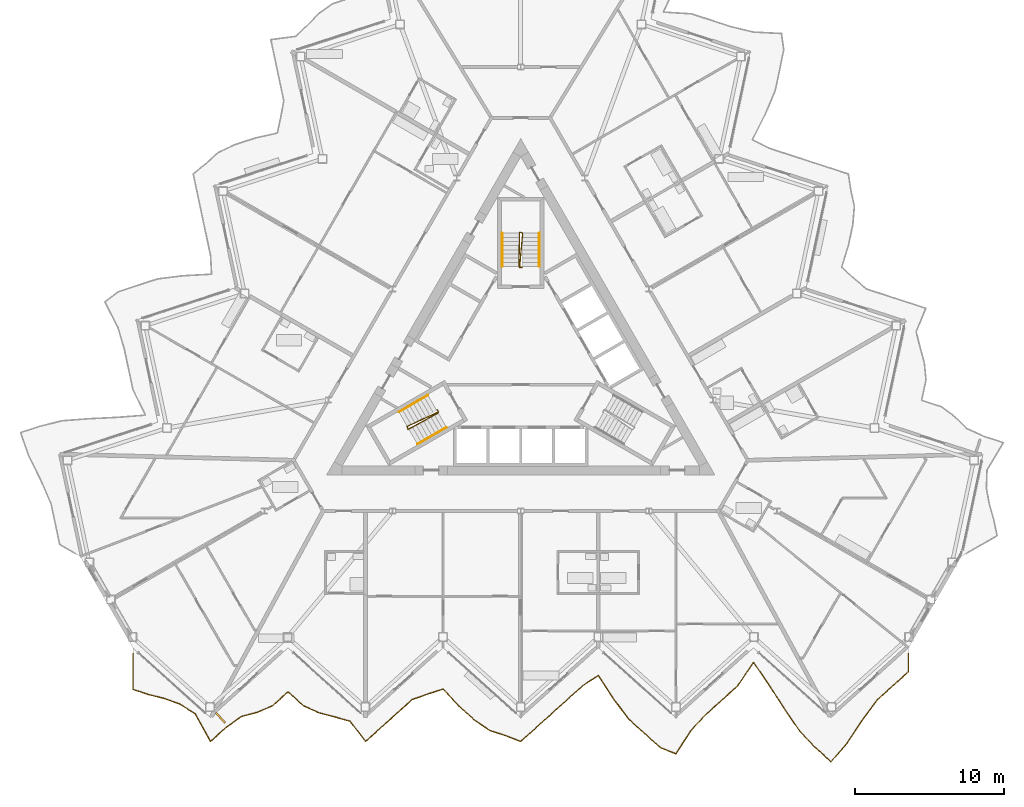
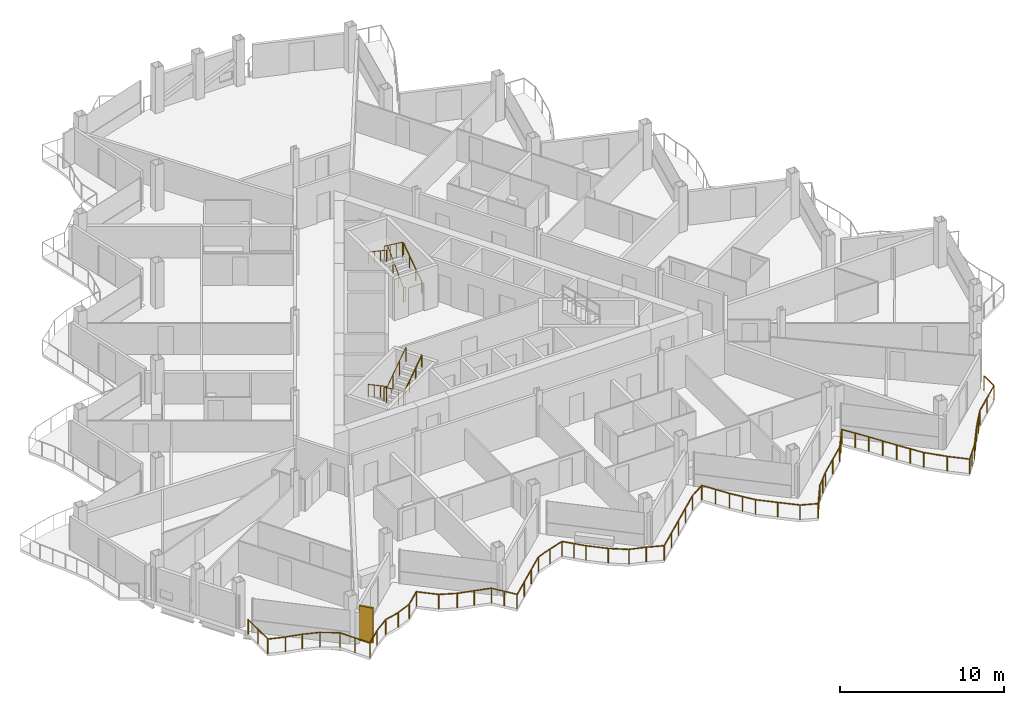
# One storey, part 23 of 28: 7 railings, 1 shading device.
"""IFC4 building model written with IfcOpenShell, lengths in metres."""

from ifc_helpers import new_model, si_unit, direction, frame, origin, origin_2d, place, context, subcontext, project, spatial, rectangle, circle, extrude, material, layer, layer_set, type_object, element, save


model = new_model("IFC4")

# Units and contexts
model_context = context("Model", 3, precision=1e-05, world=origin(), true_north=direction((0.0, 1.0)))
body_context = subcontext(model_context, "Body", "Model", "MODEL_VIEW")
ifc_project = project(units=[si_unit("LENGTHUNIT", "METRE"), si_unit("AREAUNIT", "SQUARE_METRE"), si_unit("VOLUMEUNIT", "CUBIC_METRE"), si_unit("PLANEANGLEUNIT", "RADIAN"), si_unit("MASSUNIT", "GRAM", prefix="KILO")], contexts=[model_context])

# Site, building, storey
site_placement = place(None, origin())
site = spatial("IfcSite", under=ifc_project, at=site_placement, CompositionType="ELEMENT")
building_placement = place(site_placement, origin())
building = spatial("IfcBuilding", under=site, at=building_placement, Name="Cormorant Prow Tower", CompositionType="ELEMENT")
storey_placement = place(building_placement, frame((0.0, 0.0, 305.199951171875)))
storey = spatial("IfcBuildingStorey", under=building, at=storey_placement, Name="L66", CompositionType="ELEMENT", Elevation=305.199951171875)

# Railings
ifc_material_1 = material(Name="Aluminium 6063-T6", Category="aluminium")
railing_type_1 = type_object("IfcRailingType", Name="Balcony guard 1100", PredefinedType="GUARDRAIL", material=ifc_material_1)
railing_1_placement = place(storey_placement, frame((-25.95458984375, -19.43505859375, 0.0)))
element("IfcRailing", 1, at=railing_1_placement, inside=storey, type_object=railing_type_1, Name="Balcony guard S", PredefinedType="GUARDRAIL", context=body_context, shape_type="SweptSolid", body=[
    extrude(circle(Radius=0.02392578125, at=origin_2d()), frame((0.0, 0.0, 1.076171875), z_axis=(0.0, -1.0, 0.0), x_axis=(1.0, 0.0, 0.0)), (0.0, 0.0, 1.0), 2.40380859375),
    extrude(circle(Radius=0.02392578125, at=origin_2d()), frame((0.0, -2.40380859375, 1.076171875), z_axis=(0.949173259648, -0.314754067757, 0.0), x_axis=(0.314754067757, 0.949173259648, 0.0)), (0.0, 0.0, 1.0), 1.09375),
    extrude(circle(Radius=0.02392578125, at=origin_2d()), frame((1.0380859375, -2.748046875, 1.076171875), z_axis=(0.970517275206, -0.241031571641, 0.0), x_axis=(0.241031571641, 0.970517275206, 0.0)), (0.0, 0.0, 1.0), 1.069580078125),
    extrude(circle(Radius=0.02392578125, at=origin_2d()), frame((2.076171875, -3.005859375, 1.076171875), z_axis=(0.941736901788, -0.336350424128, 0.0), x_axis=(0.336350424128, 0.941736901788, 0.0)), (0.0, 0.0, 1.0), 1.1025390625),
    extrude(circle(Radius=0.02392578125, at=origin_2d()), frame((3.114501953125, -3.376708984375, 1.076171875), z_axis=(0.848043120232, -0.529927227294, 0.0), x_axis=(0.529927227294, 0.848043120232, 0.0)), (0.0, 0.0, 1.0), 1.22412109375),
    extrude(circle(Radius=0.02392578125, at=origin_2d()), frame((4.152587890625, -4.025390625, 1.076171875), z_axis=(0.485672025198, -0.874141112144, 0.0), x_axis=(0.874141112144, 0.485672025198, 0.0)), (0.0, 0.0, 1.0), 2.137451171875),
    extrude(circle(Radius=0.02392578125, at=origin_2d()), frame((5.190673828125, -5.893798828125, 1.076171875), z_axis=(0.743181180353, 0.669090227973, 0.0), x_axis=(-0.669090227973, 0.743181180353, 0.0)), (0.0, 0.0, 1.0), 1.397216796875),
    extrude(circle(Radius=0.02392578125, at=origin_2d()), frame((6.22900390625, -4.958984375, 1.076171875), z_axis=(0.813112800382, 0.582106153425, 0.0), x_axis=(-0.582106153425, 0.813112800382, 0.0)), (0.0, 0.0, 1.0), 1.276611328125),
    extrude(circle(Radius=0.02392578125, at=origin_2d()), frame((7.26708984375, -4.2158203125, 1.076171875), z_axis=(0.967976416929, 0.251041144574, 0.0), x_axis=(-0.251041144574, 0.967976416929, 0.0)), (0.0, 0.0, 1.0), 1.07275390625),
    extrude(circle(Radius=0.02392578125, at=origin_2d()), frame((8.305419921875, -3.946533203125, 1.076171875), z_axis=(0.920104863514, 0.39167210794, 0.0), x_axis=(-0.39167210794, 0.920104863514, 0.0)), (0.0, 0.0, 1.0), 1.128173828125),
    extrude(circle(Radius=0.02392578125, at=origin_2d()), frame((9.343505859375, -3.504638671875, 1.076171875), z_axis=(0.743181180353, 0.669090227973, 0.0), x_axis=(-0.669090227973, 0.743181180353, 0.0)), (0.0, 0.0, 1.0), 1.397216796875),
    extrude(circle(Radius=0.02392578125, at=origin_2d()), frame((10.3818359375, -2.56982421875, 1.076171875), z_axis=(0.743102935947, -0.669177126468, 0.0), x_axis=(0.669177126468, 0.743102935947, 0.0)), (0.0, 0.0, 1.0), 1.39697265625),
    extrude(circle(Radius=0.02392578125, at=origin_2d()), frame((11.419921875, -3.504638671875, 1.076171875), z_axis=(0.911668647203, -0.410926121958, 0.0), x_axis=(0.410926121958, 0.911668647203, 0.0)), (0.0, 0.0, 1.0), 1.138916015625),
    extrude(circle(Radius=0.02392578125, at=origin_2d()), frame((12.458251953125, -3.97265625, 1.076171875), z_axis=(0.967239344421, -0.253866206109, 0.0), x_axis=(0.253866206109, 0.967239344421, 0.0)), (0.0, 0.0, 1.0), 1.0732421875),
    extrude(circle(Radius=0.02392578125, at=origin_2d()), frame((13.496337890625, -4.2451171875, 1.076171875), z_axis=(0.961694459853, -0.274123632489, 0.0), x_axis=(0.274123632489, 0.961694459853, 0.0)), (0.0, 0.0, 1.0), 1.079345703125),
    extrude(circle(Radius=0.02392578125, at=origin_2d()), frame((14.534423828125, -4.541015625, 1.076171875), z_axis=(0.608873261751, -0.793267515486, 0.0), x_axis=(0.793267515486, 0.608873261751, 0.0)), (0.0, 0.0, 1.0), 1.705322265625),
    extrude(circle(Radius=0.02392578125, at=origin_2d()), frame((15.57275390625, -5.893798828125, 1.076171875), z_axis=(0.743102935947, 0.669177126468, 0.0), x_axis=(-0.669177126468, 0.743102935947, 0.0)), (0.0, 0.0, 1.0), 1.39697265625),
    extrude(circle(Radius=0.02392578125, at=origin_2d()), frame((16.61083984375, -4.958984375, 1.076171875), z_axis=(0.743181180353, 0.669090227973, 0.0), x_axis=(-0.669090227973, 0.743181180353, 0.0)), (0.0, 0.0, 1.0), 1.397216796875),
    extrude(circle(Radius=0.02392578125, at=origin_2d()), frame((17.649169921875, -4.024169921875, 1.076171875), z_axis=(0.743102935947, 0.669177126468, 0.0), x_axis=(-0.669177126468, 0.743102935947, 0.0)), (0.0, 0.0, 1.0), 1.39697265625),
    extrude(circle(Radius=0.02392578125, at=origin_2d()), frame((18.687255859375, -3.08935546875, 1.076171875), z_axis=(0.942017211045, 0.335564560248, 0.0), x_axis=(-0.335564560248, 0.942017211045, 0.0)), (0.0, 0.0, 1.0), 1.102294921875),
    extrude(circle(Radius=0.02392578125, at=origin_2d()), frame((19.7255859375, -2.719482421875, 1.076171875), z_axis=(0.951224593254, 0.30849922721, 0.0), x_axis=(-0.30849922721, 0.951224593254, 0.0)), (0.0, 0.0, 1.0), 1.09130859375),
    extrude(circle(Radius=0.02392578125, at=origin_2d()), frame((20.763671875, -2.3828125, 1.076171875), z_axis=(0.6791818494, -0.733970037158, 0.0), x_axis=(0.733970037158, 0.6791818494, 0.0)), (0.0, 0.0, 1.0), 1.5283203125),
    extrude(circle(Radius=0.02392578125, at=origin_2d()), frame((21.8017578125, -3.504638671875, 1.076171875), z_axis=(0.743181180353, -0.669090227973, 0.0), x_axis=(0.669090227973, 0.743181180353, 0.0)), (0.0, 0.0, 1.0), 1.397216796875),
    extrude(circle(Radius=0.02392578125, at=origin_2d()), frame((22.840087890625, -4.439453125, 1.076171875), z_axis=(0.820987837524, -0.570945680987, 0.0), x_axis=(0.570945680987, 0.820987837524, 0.0)), (0.0, 0.0, 1.0), 1.264404296875),
    extrude(circle(Radius=0.02392578125, at=origin_2d()), frame((23.878173828125, -5.161376953125, 1.076171875), z_axis=(0.953586053712, -0.301120637229, 0.0), x_axis=(0.301120637229, 0.953586053712, 0.0)), (0.0, 0.0, 1.0), 1.0888671875),
    extrude(circle(Radius=0.02392578125, at=origin_2d()), frame((24.91650390625, -5.4892578125, 1.076171875), z_axis=(0.931749472276, -0.363101805165, 0.0), x_axis=(0.363101805165, 0.931749472276, 0.0)), (0.0, 0.0, 1.0), 1.114013671875),
    extrude(circle(Radius=0.02392578125, at=origin_2d()), frame((25.95458984375, -5.893798828125, 1.076171875), z_axis=(0.743102935947, 0.669177126468, 0.0), x_axis=(-0.669177126468, 0.743102935947, 0.0)), (0.0, 0.0, 1.0), 1.39697265625),
    extrude(circle(Radius=0.02392578125, at=origin_2d()), frame((26.99267578125, -4.958984375, 1.076171875), z_axis=(0.743181180353, 0.669090227973, 0.0), x_axis=(-0.669090227973, 0.743181180353, 0.0)), (0.0, 0.0, 1.0), 1.397216796875),
    extrude(circle(Radius=0.02392578125, at=origin_2d()), frame((28.031005859375, -4.024169921875, 1.076171875), z_axis=(0.743102935947, 0.669177126468, 0.0), x_axis=(-0.669177126468, 0.743102935947, 0.0)), (0.0, 0.0, 1.0), 1.39697265625),
    extrude(circle(Radius=0.02392578125, at=origin_2d()), frame((29.069091796875, -3.08935546875, 1.076171875), z_axis=(0.743181180353, 0.669090227973, 0.0), x_axis=(-0.669090227973, 0.743181180353, 0.0)), (0.0, 0.0, 1.0), 1.397216796875),
    extrude(circle(Radius=0.02392578125, at=origin_2d()), frame((30.107421875, -2.154541015625, 1.076171875), z_axis=(0.837073641945, 0.547090228355, 0.0), x_axis=(-0.547090228355, 0.837073641945, 0.0)), (0.0, 0.0, 1.0), 1.240234375),
    extrude(circle(Radius=0.02392578125, at=origin_2d()), frame((31.1455078125, -1.47607421875, 1.076171875), z_axis=(0.546017058916, -0.837774057472, 0.0), x_axis=(0.837774057472, 0.546017058916, 0.0)), (0.0, 0.0, 1.0), 1.901123046875),
    extrude(circle(Radius=0.02392578125, at=origin_2d()), frame((32.18359375, -3.06884765625, 1.076171875), z_axis=(0.603854954358, -0.797094219084, 0.0), x_axis=(0.797094219084, 0.603854954358, 0.0)), (0.0, 0.0, 1.0), 1.719482421875),
    extrude(circle(Radius=0.02392578125, at=origin_2d()), frame((33.221923828125, -4.439453125, 1.076171875), z_axis=(0.743102935947, -0.669177126468, 0.0), x_axis=(0.669177126468, 0.743102935947, 0.0)), (0.0, 0.0, 1.0), 1.39697265625),
    extrude(circle(Radius=0.02392578125, at=origin_2d()), frame((34.260009765625, -5.374267578125, 1.076171875), z_axis=(0.746837425628, -0.665006661381, 0.0), x_axis=(0.665006661381, 0.746837425628, 0.0)), (0.0, 0.0, 1.0), 1.390380859375),
    extrude(circle(Radius=0.02392578125, at=origin_2d()), frame((35.29833984375, -6.298828125, 1.076171875), z_axis=(0.926950423563, -0.375183837947, 0.0), x_axis=(0.375183837947, 0.926950423563, 0.0)), (0.0, 0.0, 1.0), 1.119873046875),
    extrude(circle(Radius=0.02392578125, at=origin_2d()), frame((36.33642578125, -6.718994140625, 1.076171875), z_axis=(0.543590406958, 0.839350623675, 0.0), x_axis=(-0.839350623675, 0.543590406958, 0.0)), (0.0, 0.0, 1.0), 1.91015625),
    extrude(circle(Radius=0.02392578125, at=origin_2d()), frame((37.374755859375, -5.11572265625, 1.076171875), z_axis=(0.689136977099, 0.724631097039, 0.0), x_axis=(-0.724631097039, 0.689136977099, 0.0)), (0.0, 0.0, 1.0), 1.50634765625),
    extrude(circle(Radius=0.02392578125, at=origin_2d()), frame((38.412841796875, -4.024169921875, 1.076171875), z_axis=(0.743102935947, 0.669177126468, 0.0), x_axis=(-0.669177126468, 0.743102935947, 0.0)), (0.0, 0.0, 1.0), 1.39697265625),
    extrude(circle(Radius=0.02392578125, at=origin_2d()), frame((39.450927734375, -3.08935546875, 1.076171875), z_axis=(0.743181180353, 0.669090227973, 0.0), x_axis=(-0.669090227973, 0.743181180353, 0.0)), (0.0, 0.0, 1.0), 1.397216796875),
    extrude(circle(Radius=0.02392578125, at=origin_2d()), frame((40.4892578125, -2.154541015625, 1.076171875), z_axis=(0.554278971018, 0.832330957184, 0.0), x_axis=(-0.832330957184, 0.554278971018, 0.0)), (0.0, 0.0, 1.0), 1.872802734375),
    extrude(circle(Radius=0.02392578125, at=origin_2d()), frame((41.52734375, -0.595703125, 1.076171875), z_axis=(0.566788967797, -0.823863014089, 0.0), x_axis=(0.823863014089, 0.566788967797, 0.0)), (0.0, 0.0, 1.0), 1.83203125),
    extrude(circle(Radius=0.02392578125, at=origin_2d()), frame((42.565673828125, -2.10498046875, 1.076171875), z_axis=(0.541465375542, -0.840723050171, 0.0), x_axis=(0.840723050171, 0.541465375542, 0.0)), (0.0, 0.0, 1.0), 1.917236328125),
    extrude(circle(Radius=0.02392578125, at=origin_2d()), frame((43.603759765625, -3.716796875, 1.076171875), z_axis=(0.56511254565, -0.825013824581, 0.0), x_axis=(0.825013824581, 0.56511254565, 0.0)), (0.0, 0.0, 1.0), 1.83740234375),
    extrude(circle(Radius=0.02392578125, at=origin_2d()), frame((44.64208984375, -5.232666015625, 1.076171875), z_axis=(0.69417484653, -0.71980642012, 0.0), x_axis=(0.71980642012, 0.69417484653, 0.0)), (0.0, 0.0, 1.0), 1.495361328125),
    extrude(circle(Radius=0.02392578125, at=origin_2d()), frame((45.68017578125, -6.30908203125, 1.076171875), z_axis=(0.743181180353, -0.669090227973, 0.0), x_axis=(0.669090227973, 0.743181180353, 0.0)), (0.0, 0.0, 1.0), 1.397216796875),
    extrude(circle(Radius=0.02392578125, at=origin_2d()), frame((46.718505859375, -7.243896484375, 1.076171875), z_axis=(0.655247292245, 0.755414446516, 0.0), x_axis=(-0.755414446516, 0.655247292245, 0.0)), (0.0, 0.0, 1.0), 1.584228515625),
    extrude(circle(Radius=0.02392578125, at=origin_2d()), frame((47.756591796875, -6.047119140625, 1.076171875), z_axis=(0.554880873784, 0.831929814293, 0.0), x_axis=(-0.831929814293, 0.554880873784, 0.0)), (0.0, 0.0, 1.0), 1.870849609375),
    extrude(circle(Radius=0.02392578125, at=origin_2d()), frame((48.794677734375, -4.49072265625, 1.076171875), z_axis=(0.595331321169, 0.803480315898, 0.0), x_axis=(-0.803480315898, 0.595331321169, 0.0)), (0.0, 0.0, 1.0), 1.744140625),
    extrude(circle(Radius=0.02392578125, at=origin_2d()), frame((49.8330078125, -3.08935546875, 1.076171875), z_axis=(0.743102935947, 0.669177126468, 0.0), x_axis=(-0.669177126468, 0.743102935947, 0.0)), (0.0, 0.0, 1.0), 1.39697265625),
    extrude(circle(Radius=0.02392578125, at=origin_2d()), frame((50.87109375, -2.154541015625, 1.076171875), z_axis=(0.743189845047, 0.669080603678, 0.0), x_axis=(-0.669080603678, 0.743189845047, 0.0)), (0.0, 0.0, 1.0), 1.396728515625),
    extrude(circle(Radius=0.02392578125, at=origin_2d()), frame((51.9091796875, -1.219970703125, 1.076171875), z_axis=(0.0, 1.0, 0.0), x_axis=(-1.0, 0.0, 0.0)), (0.0, 0.0, 1.0), 1.219970703125),
    extrude(circle(Radius=0.02099609375, at=origin_2d()), origin(), (0.0, 0.0, 1.0), 1.052001953125),
    extrude(circle(Radius=0.02099609375, at=origin_2d()), frame((0.0, -1.201904296875, 0.0)), (0.0, 0.0, 1.0), 1.052001953125),
    extrude(circle(Radius=0.02099609375, at=origin_2d()), frame((0.0, -2.40380859375, 0.0)), (0.0, 0.0, 1.0), 1.052001953125),
    extrude(circle(Radius=0.02099609375, at=origin_2d()), frame((1.0380859375, -2.748046875, 0.0)), (0.0, 0.0, 1.0), 1.052001953125),
    extrude(circle(Radius=0.02099609375, at=origin_2d()), frame((2.076171875, -3.005859375, 0.0)), (0.0, 0.0, 1.0), 1.052001953125),
    extrude(circle(Radius=0.02099609375, at=origin_2d()), frame((3.114501953125, -3.376708984375, 0.0)), (0.0, 0.0, 1.0), 1.052001953125),
    extrude(circle(Radius=0.02099609375, at=origin_2d()), frame((4.152587890625, -4.025390625, 0.0)), (0.0, 0.0, 1.0), 1.052001953125),
    extrude(circle(Radius=0.02099609375, at=origin_2d()), frame((4.671630859375, -4.95947265625, 0.0)), (0.0, 0.0, 1.0), 1.052001953125),
    extrude(circle(Radius=0.02099609375, at=origin_2d()), frame((5.190673828125, -5.893798828125, 0.0)), (0.0, 0.0, 1.0), 1.052001953125),
    extrude(circle(Radius=0.02099609375, at=origin_2d()), frame((6.22900390625, -4.958984375, 0.0)), (0.0, 0.0, 1.0), 1.052001953125),
    extrude(circle(Radius=0.02099609375, at=origin_2d()), frame((7.26708984375, -4.2158203125, 0.0)), (0.0, 0.0, 1.0), 1.052001953125),
    extrude(circle(Radius=0.02099609375, at=origin_2d()), frame((8.305419921875, -3.946533203125, 0.0)), (0.0, 0.0, 1.0), 1.052001953125),
    extrude(circle(Radius=0.02099609375, at=origin_2d()), frame((9.343505859375, -3.504638671875, 0.0)), (0.0, 0.0, 1.0), 1.052001953125),
    extrude(circle(Radius=0.02099609375, at=origin_2d()), frame((10.3818359375, -2.56982421875, 0.0)), (0.0, 0.0, 1.0), 1.052001953125),
    extrude(circle(Radius=0.02099609375, at=origin_2d()), frame((11.419921875, -3.504638671875, 0.0)), (0.0, 0.0, 1.0), 1.052001953125),
    extrude(circle(Radius=0.02099609375, at=origin_2d()), frame((12.458251953125, -3.97265625, 0.0)), (0.0, 0.0, 1.0), 1.052001953125),
    extrude(circle(Radius=0.02099609375, at=origin_2d()), frame((13.496337890625, -4.2451171875, 0.0)), (0.0, 0.0, 1.0), 1.052001953125),
    extrude(circle(Radius=0.02099609375, at=origin_2d()), frame((14.534423828125, -4.541015625, 0.0)), (0.0, 0.0, 1.0), 1.052001953125),
    extrude(circle(Radius=0.02099609375, at=origin_2d()), frame((15.0537109375, -5.21728515625, 0.0)), (0.0, 0.0, 1.0), 1.052001953125),
    extrude(circle(Radius=0.02099609375, at=origin_2d()), frame((15.57275390625, -5.893798828125, 0.0)), (0.0, 0.0, 1.0), 1.052001953125),
    extrude(circle(Radius=0.02099609375, at=origin_2d()), frame((16.61083984375, -4.958984375, 0.0)), (0.0, 0.0, 1.0), 1.052001953125),
    extrude(circle(Radius=0.02099609375, at=origin_2d()), frame((17.649169921875, -4.024169921875, 0.0)), (0.0, 0.0, 1.0), 1.052001953125),
    extrude(circle(Radius=0.02099609375, at=origin_2d()), frame((18.687255859375, -3.08935546875, 0.0)), (0.0, 0.0, 1.0), 1.052001953125),
    extrude(circle(Radius=0.02099609375, at=origin_2d()), frame((19.7255859375, -2.719482421875, 0.0)), (0.0, 0.0, 1.0), 1.052001953125),
    extrude(circle(Radius=0.02099609375, at=origin_2d()), frame((20.763671875, -2.3828125, 0.0)), (0.0, 0.0, 1.0), 1.052001953125),
    extrude(circle(Radius=0.02099609375, at=origin_2d()), frame((21.28271484375, -2.94384765625, 0.0)), (0.0, 0.0, 1.0), 1.052001953125),
    extrude(circle(Radius=0.02099609375, at=origin_2d()), frame((21.8017578125, -3.504638671875, 0.0)), (0.0, 0.0, 1.0), 1.052001953125),
    extrude(circle(Radius=0.02099609375, at=origin_2d()), frame((22.840087890625, -4.439453125, 0.0)), (0.0, 0.0, 1.0), 1.052001953125),
    extrude(circle(Radius=0.02099609375, at=origin_2d()), frame((23.878173828125, -5.161376953125, 0.0)), (0.0, 0.0, 1.0), 1.052001953125),
    extrude(circle(Radius=0.02099609375, at=origin_2d()), frame((24.91650390625, -5.4892578125, 0.0)), (0.0, 0.0, 1.0), 1.052001953125),
    extrude(circle(Radius=0.02099609375, at=origin_2d()), frame((25.95458984375, -5.893798828125, 0.0)), (0.0, 0.0, 1.0), 1.052001953125),
    extrude(circle(Radius=0.02099609375, at=origin_2d()), frame((26.99267578125, -4.958984375, 0.0)), (0.0, 0.0, 1.0), 1.052001953125),
    extrude(circle(Radius=0.02099609375, at=origin_2d()), frame((28.031005859375, -4.024169921875, 0.0)), (0.0, 0.0, 1.0), 1.052001953125),
    extrude(circle(Radius=0.02099609375, at=origin_2d()), frame((29.069091796875, -3.08935546875, 0.0)), (0.0, 0.0, 1.0), 1.052001953125),
    extrude(circle(Radius=0.02099609375, at=origin_2d()), frame((30.107421875, -2.154541015625, 0.0)), (0.0, 0.0, 1.0), 1.052001953125),
    extrude(circle(Radius=0.02099609375, at=origin_2d()), frame((31.1455078125, -1.47607421875, 0.0)), (0.0, 0.0, 1.0), 1.052001953125),
    extrude(circle(Radius=0.02099609375, at=origin_2d()), frame((31.66455078125, -2.2724609375, 0.0)), (0.0, 0.0, 1.0), 1.052001953125),
    extrude(circle(Radius=0.02099609375, at=origin_2d()), frame((32.18359375, -3.06884765625, 0.0)), (0.0, 0.0, 1.0), 1.052001953125),
    extrude(circle(Radius=0.02099609375, at=origin_2d()), frame((32.70263671875, -3.754150390625, 0.0)), (0.0, 0.0, 1.0), 1.052001953125),
    extrude(circle(Radius=0.02099609375, at=origin_2d()), frame((33.221923828125, -4.439453125, 0.0)), (0.0, 0.0, 1.0), 1.052001953125),
    extrude(circle(Radius=0.02099609375, at=origin_2d()), frame((34.260009765625, -5.374267578125, 0.0)), (0.0, 0.0, 1.0), 1.052001953125),
    extrude(circle(Radius=0.02099609375, at=origin_2d()), frame((35.29833984375, -6.298828125, 0.0)), (0.0, 0.0, 1.0), 1.052001953125),
    extrude(circle(Radius=0.02099609375, at=origin_2d()), frame((36.33642578125, -6.718994140625, 0.0)), (0.0, 0.0, 1.0), 1.052001953125),
    extrude(circle(Radius=0.02099609375, at=origin_2d()), frame((36.85546875, -5.91748046875, 0.0)), (0.0, 0.0, 1.0), 1.052001953125),
    extrude(circle(Radius=0.02099609375, at=origin_2d()), frame((37.374755859375, -5.11572265625, 0.0)), (0.0, 0.0, 1.0), 1.052001953125),
    extrude(circle(Radius=0.02099609375, at=origin_2d()), frame((37.893798828125, -4.56982421875, 0.0)), (0.0, 0.0, 1.0), 1.052001953125),
    extrude(circle(Radius=0.02099609375, at=origin_2d()), frame((38.412841796875, -4.024169921875, 0.0)), (0.0, 0.0, 1.0), 1.052001953125),
    extrude(circle(Radius=0.02099609375, at=origin_2d()), frame((39.450927734375, -3.08935546875, 0.0)), (0.0, 0.0, 1.0), 1.052001953125),
    extrude(circle(Radius=0.02099609375, at=origin_2d()), frame((40.4892578125, -2.154541015625, 0.0)), (0.0, 0.0, 1.0), 1.052001953125),
    extrude(circle(Radius=0.02099609375, at=origin_2d()), frame((41.00830078125, -1.375, 0.0)), (0.0, 0.0, 1.0), 1.052001953125),
    extrude(circle(Radius=0.02099609375, at=origin_2d()), frame((41.52734375, -0.595703125, 0.0)), (0.0, 0.0, 1.0), 1.052001953125),
    extrude(circle(Radius=0.02099609375, at=origin_2d()), frame((42.04638671875, -1.350341796875, 0.0)), (0.0, 0.0, 1.0), 1.052001953125),
    extrude(circle(Radius=0.02099609375, at=origin_2d()), frame((42.565673828125, -2.10498046875, 0.0)), (0.0, 0.0, 1.0), 1.052001953125),
    extrude(circle(Radius=0.02099609375, at=origin_2d()), frame((43.084716796875, -2.910888671875, 0.0)), (0.0, 0.0, 1.0), 1.052001953125),
    extrude(circle(Radius=0.02099609375, at=origin_2d()), frame((43.603759765625, -3.716796875, 0.0)), (0.0, 0.0, 1.0), 1.052001953125),
    extrude(circle(Radius=0.02099609375, at=origin_2d()), frame((44.123046875, -4.474609375, 0.0)), (0.0, 0.0, 1.0), 1.052001953125),
    extrude(circle(Radius=0.02099609375, at=origin_2d()), frame((44.64208984375, -5.232666015625, 0.0)), (0.0, 0.0, 1.0), 1.052001953125),
    extrude(circle(Radius=0.02099609375, at=origin_2d()), frame((45.68017578125, -6.30908203125, 0.0)), (0.0, 0.0, 1.0), 1.052001953125),
    extrude(circle(Radius=0.02099609375, at=origin_2d()), frame((46.718505859375, -7.243896484375, 0.0)), (0.0, 0.0, 1.0), 1.052001953125),
    extrude(circle(Radius=0.02099609375, at=origin_2d()), frame((47.237548828125, -6.6455078125, 0.0)), (0.0, 0.0, 1.0), 1.052001953125),
    extrude(circle(Radius=0.02099609375, at=origin_2d()), frame((47.756591796875, -6.047119140625, 0.0)), (0.0, 0.0, 1.0), 1.052001953125),
    extrude(circle(Radius=0.02099609375, at=origin_2d()), frame((48.275634765625, -5.26904296875, 0.0)), (0.0, 0.0, 1.0), 1.052001953125),
    extrude(circle(Radius=0.02099609375, at=origin_2d()), frame((48.794677734375, -4.49072265625, 0.0)), (0.0, 0.0, 1.0), 1.052001953125),
    extrude(circle(Radius=0.02099609375, at=origin_2d()), frame((49.31396484375, -3.7900390625, 0.0)), (0.0, 0.0, 1.0), 1.052001953125),
    extrude(circle(Radius=0.02099609375, at=origin_2d()), frame((49.8330078125, -3.08935546875, 0.0)), (0.0, 0.0, 1.0), 1.052001953125),
    extrude(circle(Radius=0.02099609375, at=origin_2d()), frame((50.87109375, -2.154541015625, 0.0)), (0.0, 0.0, 1.0), 1.052001953125),
    extrude(circle(Radius=0.02099609375, at=origin_2d()), frame((51.9091796875, -1.219970703125, 0.0)), (0.0, 0.0, 1.0), 1.052001953125),
    extrude(circle(Radius=0.02099609375, at=origin_2d()), frame((51.9091796875, 0.0, 0.0)), (0.0, 0.0, 1.0), 1.052001953125),
])
ifc_material_2 = material(Name="Stainless steel", Category="steel")
railing_type_2 = type_object("IfcRailingType", Name="Stair guard 1100", PredefinedType="GUARDRAIL", material=ifc_material_2)
railing_2_placement = place(storey_placement, frame((-5.585205078125, -3.137939453125, 0.0)))
element("IfcRailing", 2, at=railing_2_placement, inside=storey, type_object=railing_type_2, Name="L66 ST1 stair guard 1", PredefinedType="GUARDRAIL", context=body_context, shape_type="SweptSolid", body=[
    extrude(circle(Radius=0.02392578125, at=origin_2d()), frame((0.0, 0.0, 1.076171875), z_axis=(0.501036270542, -0.865426285481, 0.0), x_axis=(0.865426285481, 0.501036270542, 0.0)), (0.0, 0.0, 1.0), 0.150146484375),
    extrude(circle(Radius=0.02392578125, at=origin_2d()), frame((0.0751953125, -0.1298828125, 1.076171875), z_axis=(-0.728641035543, -0.339941399566, 0.594577233152), x_axis=(0.422792438952, -0.906226546491, 0.0)), (0.0, 0.0, 1.0), 2.859130859375),
    extrude(circle(Radius=0.02392578125, at=origin_2d()), frame((-2.008056640625, -1.101806640625, 2.77587890625), z_axis=(0.275034262293, -0.961434425515, 0.0), x_axis=(0.961434425515, 0.275034262293, 0.0)), (0.0, 0.0, 1.0), 0.2060546875),
    extrude(circle(Radius=0.02392578125, at=origin_2d()), frame((-1.951416015625, -1.2998046875, 2.77587890625), z_axis=(0.704022539576, 0.386159700774, 0.596014219014), x_axis=(-0.480911908544, 0.87676891837, 0.0)), (0.0, 0.0, 1.0), 2.8525390625),
    extrude(circle(Radius=0.02099609375, at=origin_2d()), origin(), (0.0, 0.0, 1.0), 1.052001953125),
    extrude(circle(Radius=0.02099609375, at=origin_2d()), frame((0.0751953125, -0.1298828125, 0.0)), (0.0, 0.0, 1.0), 1.052001953125),
    extrude(circle(Radius=0.02099609375, at=origin_2d()), frame((-0.619140625, -0.453857421875, 0.566650390625)), (0.0, 0.0, 1.0), 1.052001953125),
    extrude(circle(Radius=0.02099609375, at=origin_2d()), frame((-1.313720703125, -0.77783203125, 1.13330078125)), (0.0, 0.0, 1.0), 1.052001953125),
    extrude(circle(Radius=0.02099609375, at=origin_2d()), frame((-2.008056640625, -1.101806640625, 1.699951171875)), (0.0, 0.0, 1.0), 1.052001953125),
    extrude(circle(Radius=0.02099609375, at=origin_2d()), frame((-1.951416015625, -1.2998046875, 1.699951171875)), (0.0, 0.0, 1.0), 1.052001953125),
    extrude(circle(Radius=0.02099609375, at=origin_2d()), frame((-1.281982421875, -0.9326171875, 2.2666015625)), (0.0, 0.0, 1.0), 1.052001953125),
    extrude(circle(Radius=0.02099609375, at=origin_2d()), frame((-0.612548828125, -0.5654296875, 2.83349609375)), (0.0, 0.0, 1.0), 1.052001953125),
    extrude(circle(Radius=0.02099609375, at=origin_2d()), frame((0.056884765625, -0.1982421875, 3.400146484375)), (0.0, 0.0, 1.0), 1.052001953125),
])
railing_3_placement = place(storey_placement, frame((0.074951171875, 6.40576171875, 0.0)))
element("IfcRailing", 3, at=railing_3_placement, inside=storey, type_object=railing_type_2, Name="L66 ST3 stair guard 1", PredefinedType="GUARDRAIL", context=body_context, shape_type="SweptSolid", body=[
    extrude(circle(Radius=0.02392578125, at=origin_2d()), frame((0.0, 0.0, 1.076171875), z_axis=(-1.0, 0.0, 0.0), x_axis=(0.0, -1.0, 0.0)), (0.0, 0.0, 1.0), 0.14990234375),
    extrude(circle(Radius=0.02392578125, at=origin_2d()), frame((-0.14990234375, 0.0, 1.076171875), z_axis=(0.069936542308, 0.800982621307, 0.594588698525), x_axis=(-0.996209839609, 0.086982500921, 0.0)), (0.0, 0.0, 1.0), 2.859130859375),
    extrude(circle(Radius=0.02392578125, at=origin_2d()), frame((0.050048828125, 2.2900390625, 2.77587890625), z_axis=(-0.970072785993, 0.242814311512, 0.0), x_axis=(-0.242814311512, -0.970072785993, 0.0)), (0.0, 0.0, 1.0), 0.2060546875),
    extrude(circle(Radius=0.02392578125, at=origin_2d()), frame((-0.14990234375, 2.340087890625, 2.77587890625), z_axis=(-0.017544855785, -0.802784132979, 0.596011588706), x_axis=(0.999761264773, -0.0218497931, 0.0)), (0.0, 0.0, 1.0), 2.8525390625),
    extrude(circle(Radius=0.02099609375, at=origin_2d()), origin(), (0.0, 0.0, 1.0), 1.052001953125),
    extrude(circle(Radius=0.02099609375, at=origin_2d()), frame((-0.14990234375, 0.0, 0.0)), (0.0, 0.0, 1.0), 1.052001953125),
    extrude(circle(Radius=0.02099609375, at=origin_2d()), frame((-0.083251953125, 0.763427734375, 0.566650390625)), (0.0, 0.0, 1.0), 1.052001953125),
    extrude(circle(Radius=0.02099609375, at=origin_2d()), frame((-0.0166015625, 1.526611328125, 1.13330078125)), (0.0, 0.0, 1.0), 1.052001953125),
    extrude(circle(Radius=0.02099609375, at=origin_2d()), frame((0.050048828125, 2.2900390625, 1.699951171875)), (0.0, 0.0, 1.0), 1.052001953125),
    extrude(circle(Radius=0.02099609375, at=origin_2d()), frame((-0.14990234375, 2.340087890625, 1.699951171875)), (0.0, 0.0, 1.0), 1.052001953125),
    extrude(circle(Radius=0.02099609375, at=origin_2d()), frame((-0.16650390625, 1.57666015625, 2.2666015625)), (0.0, 0.0, 1.0), 1.052001953125),
    extrude(circle(Radius=0.02099609375, at=origin_2d()), frame((-0.183349609375, 0.8134765625, 2.83349609375)), (0.0, 0.0, 1.0), 1.052001953125),
    extrude(circle(Radius=0.02099609375, at=origin_2d()), frame((-0.199951171875, 0.050048828125, 3.400146484375)), (0.0, 0.0, 1.0), 1.052001953125),
])
ifc_material_3 = material(Name="Stainless steel", Category="steel")
railing_type_3 = type_object("IfcRailingType", Name="Stair handrail 900", PredefinedType="HANDRAIL", material=ifc_material_3)
railing_4_placement = place(storey_placement, frame((-6.212890625, -2.150634765625, 0.18896484375)))
element("IfcRailing", 4, at=railing_4_placement, inside=storey, type_object=railing_type_3, Name="L66 ST1 stair handrail 1", PredefinedType="HANDRAIL", context=body_context, shape_type="SweptSolid", body=[
    extrude(circle(Radius=0.02392578125, at=origin_2d()), frame((0.0, 0.0, 0.8759765625), z_axis=(-0.717976596433, -0.414467486514, 0.559219375198), x_axis=(0.49994888933, -0.866054910533, 0.0)), (0.0, 0.0, 1.0), 2.701904296875),
    extrude(circle(Radius=0.02099609375, at=origin_2d()), origin(), (0.0, 0.0, 1.0), 0.851806640625),
    extrude(circle(Radius=0.02099609375, at=origin_2d()), frame((-0.646728515625, -0.373291015625, 0.503662109375)), (0.0, 0.0, 1.0), 0.851806640625),
    extrude(circle(Radius=0.02099609375, at=origin_2d()), frame((-1.293212890625, -0.74658203125, 1.00732421875)), (0.0, 0.0, 1.0), 0.851806640625),
    extrude(circle(Radius=0.02099609375, at=origin_2d()), frame((-1.93994140625, -1.119873046875, 1.510986328125)), (0.0, 0.0, 1.0), 0.851806640625),
])
railing_5_placement = place(storey_placement, frame((-6.90869140625, -5.42529296875, 1.888916015625)))
element("IfcRailing", 5, at=railing_5_placement, inside=storey, type_object=railing_type_3, Name="L66 ST1 stair handrail 2", PredefinedType="HANDRAIL", context=body_context, shape_type="SweptSolid", body=[
    extrude(circle(Radius=0.02392578125, at=origin_2d()), frame((0.0, 0.0, 0.8759765625), z_axis=(0.717869644322, 0.414548260308, 0.559296802813), x_axis=(-0.500077830873, 0.865980463445, 0.0)), (0.0, 0.0, 1.0), 2.701904296875),
    extrude(circle(Radius=0.02099609375, at=origin_2d()), origin(), (0.0, 0.0, 1.0), 0.851806640625),
    extrude(circle(Radius=0.02099609375, at=origin_2d()), frame((0.646484375, 0.373291015625, 0.503662109375)), (0.0, 0.0, 1.0), 0.851806640625),
    extrude(circle(Radius=0.02099609375, at=origin_2d()), frame((1.293212890625, 0.746826171875, 1.007568359375)), (0.0, 0.0, 1.0), 0.851806640625),
    extrude(circle(Radius=0.02099609375, at=origin_2d()), frame((1.939697265625, 1.1201171875, 1.51123046875)), (0.0, 0.0, 1.0), 0.851806640625),
])
railing_6_placement = place(storey_placement, frame((1.243896484375, 6.455810546875, 0.18896484375)))
element("IfcRailing", 6, at=railing_6_placement, inside=storey, type_object=railing_type_3, Name="L66 ST3 stair handrail 1", PredefinedType="HANDRAIL", context=body_context, shape_type="SweptSolid", body=[
    extrude(circle(Radius=0.02392578125, at=origin_2d()), frame((0.0, 0.0, 0.8759765625), z_axis=(0.0, 0.829021472004, 0.559216772778), x_axis=(-1.0, 0.0, 0.0)), (0.0, 0.0, 1.0), 2.701904296875),
    extrude(circle(Radius=0.02099609375, at=origin_2d()), origin(), (0.0, 0.0, 1.0), 0.851806640625),
    extrude(circle(Radius=0.02099609375, at=origin_2d()), frame((0.0, 0.74658203125, 0.503662109375)), (0.0, 0.0, 1.0), 0.851806640625),
    extrude(circle(Radius=0.02099609375, at=origin_2d()), frame((0.0, 1.493408203125, 1.00732421875)), (0.0, 0.0, 1.0), 0.851806640625),
    extrude(circle(Radius=0.02099609375, at=origin_2d()), frame((0.0, 2.239990234375, 1.510986328125)), (0.0, 0.0, 1.0), 0.851806640625),
])
railing_7_placement = place(storey_placement, frame((-1.243896484375, 8.69580078125, 1.888916015625)))
element("IfcRailing", 7, at=railing_7_placement, inside=storey, type_object=railing_type_3, Name="L66 ST3 stair handrail 2", PredefinedType="HANDRAIL", context=body_context, shape_type="SweptSolid", body=[
    extrude(circle(Radius=0.02392578125, at=origin_2d()), frame((0.0, 0.0, 0.8759765625), z_axis=(0.0, -0.828979582247, 0.559278868023), x_axis=(1.0, 0.0, 0.0)), (0.0, 0.0, 1.0), 2.7021484375),
    extrude(circle(Radius=0.02099609375, at=origin_2d()), origin(), (0.0, 0.0, 1.0), 0.851806640625),
    extrude(circle(Radius=0.02099609375, at=origin_2d()), frame((0.0, -0.74658203125, 0.503662109375)), (0.0, 0.0, 1.0), 0.851806640625),
    extrude(circle(Radius=0.02099609375, at=origin_2d()), frame((0.0, -1.493408203125, 1.007568359375)), (0.0, 0.0, 1.0), 0.851806640625),
    extrude(circle(Radius=0.02099609375, at=origin_2d()), frame((0.0, -2.239990234375, 1.51123046875)), (0.0, 0.0, 1.0), 0.851806640625),
])

# Shading device
ifc_material_4 = material(Name="Terracotta", Category="masonry")
ifc_layer = layer(ifc_material_4, 0.1201171875)
ifc_layer_set = layer_set([ifc_layer], Name="Terracotta")
shading_device_type = type_object("IfcShadingDeviceType", Name="Terracotta baguette fin 120x900x2600", PredefinedType="USERDEFINED", material=ifc_layer_set)
shading_device_placement = place(storey_placement, frame((-20.095458984375, -23.732666015625, 0.0), z_axis=(0.0, 0.0, 1.0), x_axis=(0.743144844712, 0.669130584997, 0.0)))
element("IfcShadingDevice", 8, at=shading_device_placement, inside=storey, type_object=shading_device_type, Name="Baguette fin S01", ObjectType="BAGUETTE", PredefinedType="USERDEFINED", context=body_context, shape_type="SweptSolid", body=[
    extrude(rectangle(XDim=0.1201171875, YDim=0.89990234375, at=origin_2d()), origin(), (0.0, 0.0, 1.0), 2.60009765625),
])

save(model, "model.ifc")
